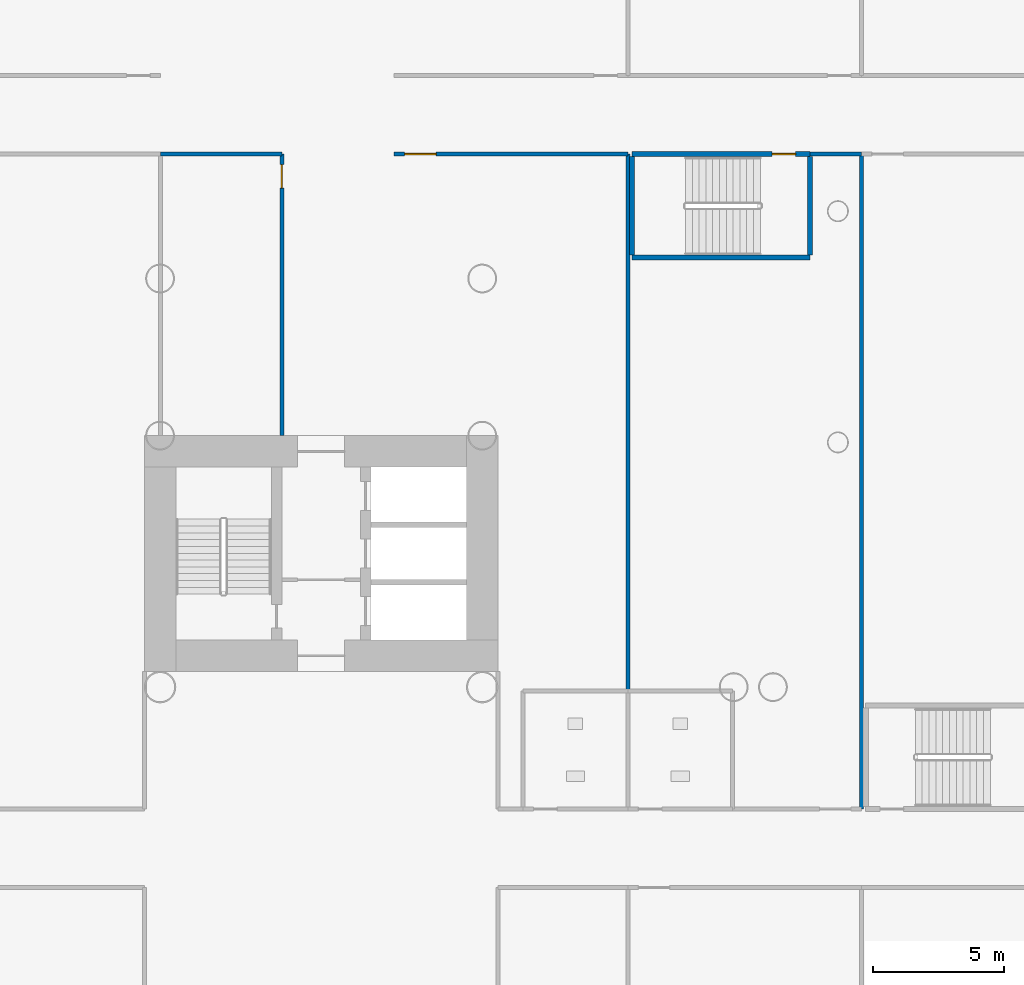
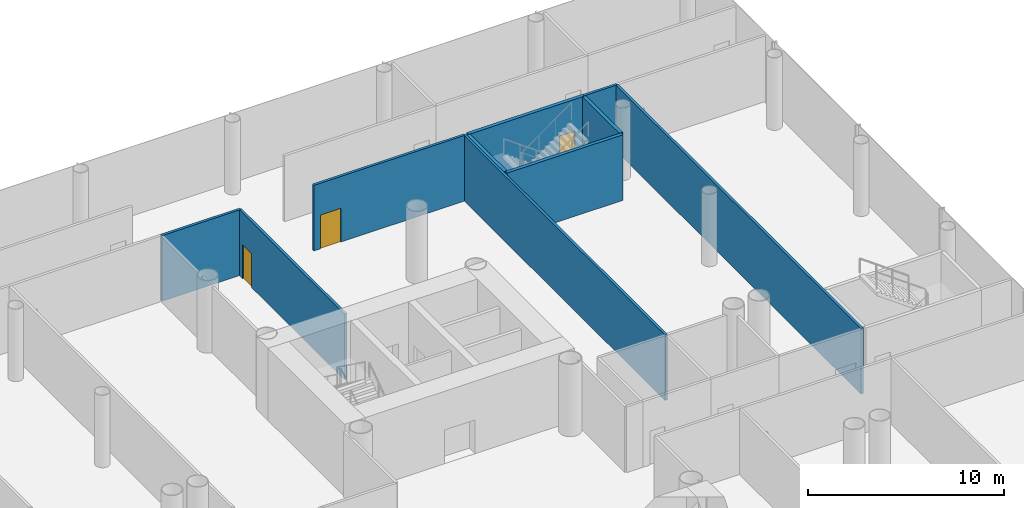
# One storey, part 23 of 51: 10 walls, 3 doors, 3 openings.
"""IFC4 building model written with IfcOpenShell, lengths in metres."""

import ifcopenshell
import ifcopenshell.guid

model = None  # the IFC model being written
_history = None  # IfcOwnerHistory: only IFC2X3 demands one
_inside = {}  # id of a spatial element -> (the spatial element, [elements in it])
_under = {}  # id of a project, library or spatial element -> (it, [spatial elements below it])
_declared = {}  # id of a project -> (the project, [libraries it declares])
_typed = {}  # id of a type object -> (the type object, [elements of that type])
_made_of = {}  # id of a material, layer set ... -> (it, [elements and type objects made of it])


def new_model(schema):
    """Start an empty IFC model of exactly this schema.

    Asked for "IFC4X3", IfcOpenShell would pick the latest addendum, in which some entities
    have other attributes; the version numbers below select the first issue.
    IFC2X3 requires an IfcOwnerHistory on every rooted entity: one is made here for all.
    """
    global model, _history
    if schema == "IFC4X3":
        model = ifcopenshell.file(schema_version=(4, 3, 0, 0))
    else:
        model = ifcopenshell.file(schema=schema)
    _inside.clear()
    _under.clear()
    _declared.clear()
    _typed.clear()
    _made_of.clear()
    _history = None
    if model.schema == "IFC2X3":
        org = make("IfcOrganization", Name="unknown")
        user = make(
            "IfcPersonAndOrganization",
            ThePerson=make("IfcPerson", FamilyName="unknown"),
            TheOrganization=org,
        )
        app = make(
            "IfcApplication",
            ApplicationDeveloper=org,
            Version="unknown",
            ApplicationFullName="unknown",
            ApplicationIdentifier="unknown",
        )
        _history = make(
            "IfcOwnerHistory",
            OwningUser=user,
            OwningApplication=app,
            ChangeAction="ADDED",
            CreationDate=0,
        )
    return model


def make(cls, **values):
    """One entity of the class cls with the attributes given. An attribute that is None is left unset."""
    return model.create_entity(
        cls, **{name: value for name, value in values.items() if value is not None}
    )


def rooted(cls, **values):
    """An entity with a GlobalId (a new one), such as an element, a storey or a relation."""
    return make(cls, GlobalId=ifcopenshell.guid.new(), OwnerHistory=_history, **values)


def si_unit(unit_type, name, prefix=None):
    """IfcSIUnit, for example si_unit("LENGTHUNIT", "METRE", prefix="MILLI")."""
    return make("IfcSIUnit", UnitType=unit_type, Prefix=prefix, Name=name)


def assignment(units):
    """IfcUnitAssignment: the units of a project."""
    return None if units is None else make("IfcUnitAssignment", Units=units)


def point(xyz):
    """IfcCartesianPoint."""
    return None if xyz is None else make("IfcCartesianPoint", Coordinates=xyz)


def direction(xyz):
    """IfcDirection."""
    return None if xyz is None else make("IfcDirection", DirectionRatios=xyz)


def frame(location, z_axis=None, x_axis=None):
    """IfcAxis2Placement3D, a coordinate frame: its origin and axes. An axis left out is left unset."""
    return make(
        "IfcAxis2Placement3D",
        Location=point(location),
        Axis=direction(z_axis),
        RefDirection=direction(x_axis),
    )


def frame_2d(location, x_axis=None):
    """IfcAxis2Placement2D, a coordinate frame in the plane: its origin and x axis."""
    return make(
        "IfcAxis2Placement2D", Location=point(location), RefDirection=direction(x_axis)
    )


def origin():
    """The frame at (0, 0, 0) with its axes left unset."""
    return frame((0.0, 0.0, 0.0))


def place(relative_to, where):
    """IfcLocalPlacement: puts the frame where relative to a parent placement (None: the world)."""
    return make(
        "IfcLocalPlacement", PlacementRelTo=relative_to, RelativePlacement=where
    )


def context(
    kind, dimensions, precision=None, world=None, true_north=None, identifier=None
):
    """IfcGeometricRepresentationContext, for example the 3D "Model" context."""
    return make(
        "IfcGeometricRepresentationContext",
        ContextIdentifier=identifier,
        ContextType=kind,
        CoordinateSpaceDimension=dimensions,
        Precision=precision,
        WorldCoordinateSystem=world,
        TrueNorth=true_north,
    )


def subcontext(parent, identifier, kind, view, scale=None):
    """IfcGeometricRepresentationSubContext, for example "Body" below "Model"."""
    return make(
        "IfcGeometricRepresentationSubContext",
        ContextIdentifier=identifier,
        ContextType=kind,
        ParentContext=parent,
        TargetScale=scale,
        TargetView=view,
    )


def project(units=None, contexts=None):
    """IfcProject with its units and contexts."""
    return rooted(
        "IfcProject",
        Name="project",
        RepresentationContexts=contexts,
        UnitsInContext=assignment(units),
    )


def spatial(cls, under=None, at=None, **own):
    """A site, building, storey or space (cls), placed at a placement, below another one or the project."""
    s = rooted(cls, ObjectPlacement=at, **own)
    if under is not None:
        _under.setdefault(under.id(), (under, []))[1].append(s)
    return s


def profile(cls, at=None, kind="AREA", **sizes):
    """A parametric profile (cls). Its sizes go by their IFC names, for example OverallWidth=200.0."""
    return make(cls, ProfileType=kind, Position=at, **sizes)


def rectangle(**sizes):
    """IfcRectangleProfileDef."""
    return profile("IfcRectangleProfileDef", **sizes)


def extrude(swept, where, along, depth):
    """IfcExtrudedAreaSolid: the profile swept, set in the frame where, extruded along a direction by depth."""
    return make(
        "IfcExtrudedAreaSolid",
        SweptArea=swept,
        Position=where,
        ExtrudedDirection=direction(along),
        Depth=depth,
    )


def shape(context_of_items, identifier, shape_type, items):
    """IfcShapeRepresentation: the items that make up one representation, for example the "Body"."""
    return make(
        "IfcShapeRepresentation",
        ContextOfItems=context_of_items,
        RepresentationIdentifier=identifier,
        RepresentationType=shape_type,
        Items=items,
    )


def material(Name=None, Category=None):
    """IfcMaterial."""
    return make("IfcMaterial", Name=Name, Category=Category)


def layer(
    of_material, thickness, ventilated=None, Name=None, Category=None, Priority=None
):
    """IfcMaterialLayer: one layer of a wall or slab, of a material (None: an air gap)."""
    return make(
        "IfcMaterialLayer",
        Material=of_material,
        LayerThickness=thickness,
        IsVentilated=ventilated,
        Name=Name,
        Category=Category,
        Priority=Priority,
    )


def layer_set(layers, Name=None):
    """IfcMaterialLayerSet."""
    return make("IfcMaterialLayerSet", MaterialLayers=layers, LayerSetName=Name)


def made_of(thing, what):
    """Note that an element or type object is made of a material, layer set ...; save() writes the relation."""
    if what is not None:
        _made_of.setdefault(what.id(), (what, []))[1].append(thing)
    return thing


def type_object(cls, material=None, **own):
    """A type object (cls), such as IfcWallType, which elements share."""
    return made_of(rooted(cls, **own), material)


def element(
    cls,
    number,
    at=None,
    inside=None,
    cuts=None,
    type_object=None,
    material=None,
    context=None,
    identifier="Body",
    shape_type=None,
    held_by="IfcProductDefinitionShape",
    body=None,
    shapes=None,
    **own,
):
    """One element of the class cls, such as IfcWall. Its Tag is "e" and its number.

    at: its placement. inside: the storey or other place that contains it. cuts: it is an
    opening in that element (IfcRelVoidsElement). A single representation is given by context,
    identifier, shape_type and body (its items); several are given by shapes. held_by: the class
    of the entity that holds the representations. save() writes the other relations.
    """
    e = rooted(cls, Tag="e%d" % number, ObjectPlacement=at, **own)
    if body is not None:
        shapes = [shape(context, identifier, shape_type, body)]
    if shapes is not None:
        e.Representation = make(held_by, Representations=shapes)
    if inside is not None:
        _inside.setdefault(inside.id(), (inside, []))[1].append(e)
    if cuts is not None:
        rooted(
            "IfcRelVoidsElement", RelatingBuildingElement=cuts, RelatedOpeningElement=e
        )
    if type_object is not None:
        _typed.setdefault(type_object.id(), (type_object, []))[1].append(e)
    return made_of(e, material)


def fill(opening, filler):
    """IfcRelFillsElement: the door or window that sits in an opening."""
    return rooted(
        "IfcRelFillsElement",
        RelatingOpeningElement=opening,
        RelatedBuildingElement=filler,
    )


def aggregate(whole, parts):
    """IfcRelAggregates: a whole, such as a stair, and the parts it consists of."""
    return rooted("IfcRelAggregates", RelatingObject=whole, RelatedObjects=parts)


def save(model, path):
    """Write the relations noted so far, then the file.

    IfcRelAggregates (storeys below a building ...), IfcRelContainedInSpatialStructure (elements
    in a storey), IfcRelDefinesByType, IfcRelAssociatesMaterial and IfcRelDeclares: one each for
    every whole, place, type object, material and project.
    """
    for whole, parts in _under.values():
        aggregate(whole, parts)
    for where, things in _inside.values():
        rooted(
            "IfcRelContainedInSpatialStructure",
            RelatedElements=things,
            RelatingStructure=where,
        )
    for kind, things in _typed.values():
        rooted("IfcRelDefinesByType", RelatedObjects=things, RelatingType=kind)
    for what, things in _made_of.values():
        rooted("IfcRelAssociatesMaterial", RelatedObjects=things, RelatingMaterial=what)
    for by, libraries in _declared.values():
        rooted("IfcRelDeclares", RelatingContext=by, RelatedDefinitions=libraries)
    model.write(path)


model = new_model("IFC4")

# Units and contexts
model_context = context("Model", 3, precision=1e-05, world=origin(), true_north=direction((0.0, 1.0)))
body_context = subcontext(model_context, "Body", "Model", "MODEL_VIEW")
ifc_project = project(units=[si_unit("LENGTHUNIT", "METRE"), si_unit("AREAUNIT", "SQUARE_METRE"), si_unit("VOLUMEUNIT", "CUBIC_METRE"), si_unit("PLANEANGLEUNIT", "RADIAN"), si_unit("MASSUNIT", "GRAM", prefix="KILO")], contexts=[model_context])

# Site, building, storey
site_placement = place(None, origin())
site = spatial("IfcSite", under=ifc_project, at=site_placement, CompositionType="ELEMENT")
building_placement = place(site_placement, origin())
building = spatial("IfcBuilding", under=site, at=building_placement, Name="Ipe Terrace Towers", CompositionType="ELEMENT")
storey_placement = place(building_placement, frame((0.0, 0.0, 15.5)))
storey = spatial("IfcBuildingStorey", under=building, at=storey_placement, Name="L03", CompositionType="ELEMENT", Elevation=15.5)

# Wall, opening, door
ifc_material_1 = material(Name="Gypsum board partition", Category="plasterboard")
ifc_layer_1 = layer(ifc_material_1, 0.14990234375)
ifc_layer_set_1 = layer_set([ifc_layer_1], Name="Gypsum board partition 150 mm")
wall_type_1 = type_object("IfcWallType", Name="Gypsum board partition 150 mm", PredefinedType="PARTITIONING", material=ifc_layer_set_1)
wall_1_placement = place(storey_placement, frame((34.5, 26.5, 0.0), z_axis=(0.0, 0.0, 1.0), x_axis=(0.0, -1.0, 0.0)))
wall_1 = element("IfcWall", 1, at=wall_1_placement, inside=storey, type_object=wall_type_1, Name="Gypsum board partition T2 L03 pd-r46-w45", PredefinedType="PARTITIONING", context=body_context, shape_type="SweptSolid", body=[
    extrude(rectangle(XDim=10.75, YDim=0.14990234375, at=frame_2d((5.375, 0.0))), origin(), (0.0, 0.0, 1.0), 4.080078125),
])
opening_1_placement = place(wall_1_placement, frame((0.39990234375, 0.0, 0.0)))
opening_1 = element("IfcOpeningElement", 2, at=opening_1_placement, cuts=wall_1, Name="Opening PD-L03-r46", PredefinedType="OPENING", context=body_context, shape_type="SweptSolid", body=[
    extrude(rectangle(XDim=0.89990234375, YDim=2.10009765625, at=frame_2d((0.449951171875, 1.050048828125))), frame((0.0, 0.0849609375, 0.0), z_axis=(0.0, -1.0, 0.0), x_axis=(1.0, 0.0, 0.0)), (0.0, 0.0, 1.0), 0.169921875),
])
ifc_material_2 = material(Name="Fire-rated timber door leaf", Category="wood")
door_type_1 = type_object("IfcDoorType", Name="Lounge door 900 x 2100 FD30S", OperationType="NOTDEFINED", PredefinedType="DOOR", material=ifc_material_2)
door_1_placement = place(opening_1_placement, origin())
door_1 = element("IfcDoor", 3, at=door_1_placement, inside=storey, type_object=door_type_1, Name="Lounge door PD-L03-r46", OperationType="SINGLE_SWING_RIGHT", OverallHeight=2.10009765625, OverallWidth=0.89990234375, PredefinedType="DOOR", context=body_context, shape_type="SweptSolid", body=[
    extrude(rectangle(XDim=0.89990234375, YDim=2.10009765625, at=frame_2d((0.449951171875, 1.050048828125))), frame((0.0, 0.02490234375, 0.0), z_axis=(0.0, -1.0, 0.0), x_axis=(1.0, 0.0, 0.0)), (0.0, 0.0, 1.0), 0.050048828125),
])
fill(opening_1, door_1)

# Wall
wall_2_placement = place(storey_placement, frame((29.8701171875, 26.5, 0.0), z_axis=(0.0, 0.0, 1.0), x_axis=(1.0, 0.0, 0.0)))
element("IfcWall", 4, at=wall_2_placement, inside=storey, type_object=wall_type_1, Name="Gypsum board partition T2 L03 pd-r46-w46", PredefinedType="PARTITIONING", context=body_context, shape_type="SweptSolid", body=[
    extrude(rectangle(XDim=4.6298828125, YDim=0.14990234375, at=frame_2d((2.31494140625, 0.0))), origin(), (0.0, 0.0, 1.0), 4.080078125),
])

# Wall, opening, door
wall_3_placement = place(storey_placement, frame((38.7900390625, 26.5, 0.0), z_axis=(0.0, 0.0, 1.0), x_axis=(1.0, 0.0, 0.0)))
wall_3 = element("IfcWall", 5, at=wall_3_placement, inside=storey, type_object=wall_type_1, Name="Gypsum board partition T2 L03 pd-r49-w53", PredefinedType="PARTITIONING", context=body_context, shape_type="SweptSolid", body=[
    extrude(rectangle(XDim=8.919921875, YDim=0.14990234375, at=frame_2d((4.4599609375, 0.0))), origin(), (0.0, 0.0, 1.0), 4.080078125),
])
opening_2_placement = place(wall_3_placement, frame((0.39990234375, 0.0, 0.0)))
opening_2 = element("IfcOpeningElement", 6, at=opening_2_placement, cuts=wall_3, Name="Opening PD-L03-r49", PredefinedType="OPENING", context=body_context, shape_type="SweptSolid", body=[
    extrude(rectangle(XDim=1.199951171875, YDim=2.10009765625, at=frame_2d((0.60009765625, 1.050048828125))), frame((0.0, 0.0849609375, 0.0), z_axis=(0.0, -1.0, 0.0), x_axis=(1.0, 0.0, 0.0)), (0.0, 0.0, 1.0), 0.169921875),
])
ifc_material_3 = material(Name="Fire-rated timber door leaf", Category="wood")
door_type_2 = type_object("IfcDoorType", Name="Lounge door 1200 x 2100 FD30S", OperationType="NOTDEFINED", PredefinedType="DOOR", material=ifc_material_3)
door_2_placement = place(opening_2_placement, origin())
door_2 = element("IfcDoor", 7, at=door_2_placement, inside=storey, type_object=door_type_2, Name="Lounge door PD-L03-r49", OperationType="SINGLE_SWING_RIGHT", OverallHeight=2.10009765625, OverallWidth=1.199951171875, PredefinedType="DOOR", context=body_context, shape_type="SweptSolid", body=[
    extrude(rectangle(XDim=1.199951171875, YDim=2.10009765625, at=frame_2d((0.60009765625, 1.050048828125))), frame((0.0, 0.02490234375, 0.0), z_axis=(0.0, -1.0, 0.0), x_axis=(1.0, 0.0, 0.0)), (0.0, 0.0, 1.0), 0.050048828125),
])
fill(opening_2, door_2)

# Walls
wall_4_placement = place(storey_placement, frame((47.7099609375, 26.5, 0.0), z_axis=(0.0, 0.0, 1.0), x_axis=(0.0, -1.0, 0.0)))
element("IfcWall", 8, at=wall_4_placement, inside=storey, type_object=wall_type_1, Name="Gypsum board partition T2 L03 pd-r49-r54-w54", PredefinedType="PARTITIONING", context=body_context, shape_type="SweptSolid", body=[
    extrude(rectangle(XDim=20.5, YDim=0.14990234375, at=frame_2d((10.25, 0.0))), origin(), (0.0, 0.0, 1.0), 4.080078125),
])
wall_5_placement = place(storey_placement, frame((54.669921875, 26.5, 0.0), z_axis=(0.0, 0.0, 1.0), x_axis=(1.0, 0.0, 0.0)))
element("IfcWall", 9, at=wall_5_placement, inside=storey, type_object=wall_type_1, Name="Gypsum board partition T2 L03 pd-r54-w66", PredefinedType="PARTITIONING", context=body_context, shape_type="SweptSolid", body=[
    extrude(rectangle(XDim=1.9599609375, YDim=0.14990234375, at=frame_2d((0.97998046875, 0.0))), origin(), (0.0, 0.0, 1.0), 4.080078125),
])
wall_6_placement = place(storey_placement, frame((56.6298828125, 26.5, 0.0), z_axis=(0.0, 0.0, 1.0), x_axis=(0.0, -1.0, 0.0)))
element("IfcWall", 10, at=wall_6_placement, inside=storey, type_object=wall_type_1, Name="Gypsum board partition T2 L03 pd-r54-r58-w68", PredefinedType="PARTITIONING", context=body_context, shape_type="SweptSolid", body=[
    extrude(rectangle(XDim=25.0, YDim=0.14990234375, at=frame_2d((12.5, 0.0))), origin(), (0.0, 0.0, 1.0), 4.080078125),
])

# Wall, opening, door
ifc_material_4 = material(Name="Concrete C40/50", Category="concrete")
ifc_layer_2 = layer(ifc_material_4, 0.199951171875)
ifc_layer_set_2 = layer_set([ifc_layer_2], Name="RW200 PODIUM STAIR SHAFT WALL 200 C40-50")
wall_type_2 = type_object("IfcWallType", Name="RW200 PODIUM STAIR SHAFT WALL 200 C40-50", PredefinedType="SHEAR", material=ifc_layer_set_2)
wall_7_placement = place(storey_placement, frame((47.8701171875, 26.5, 0.0), z_axis=(0.0, 0.0, 1.0), x_axis=(1.0, 0.0, 0.0)))
wall_7 = element("IfcWall", 11, at=wall_7_placement, inside=storey, type_object=wall_type_2, Name="Stair shaft wall T2 L03 ps3-c", PredefinedType="SHEAR", context=body_context, shape_type="SweptSolid", body=[
    extrude(rectangle(XDim=6.7998046875, YDim=0.199951171875, at=frame_2d((3.39990234375, 0.0))), origin(), (0.0, 0.0, 1.0), 4.080078125),
])
opening_3_placement = place(wall_7_placement, frame((5.35009765625, 0.0, 0.0)))
opening_3 = element("IfcOpeningElement", 12, at=opening_3_placement, cuts=wall_7, Name="Opening PS3-SD", PredefinedType="OPENING", context=body_context, shape_type="SweptSolid", body=[
    extrude(rectangle(XDim=0.89990234375, YDim=2.10009765625, at=frame_2d((0.449951171875, 1.050048828125))), frame((0.0, 0.10986328125, 0.0), z_axis=(0.0, -1.0, 0.0), x_axis=(1.0, 0.0, 0.0)), (0.0, 0.0, 1.0), 0.219970703125),
])
ifc_material_5 = material(Name="Fire-rated timber door leaf", Category="wood")
door_type_3 = type_object("IfcDoorType", Name="Stair door 900 x 2100 FD60", OperationType="NOTDEFINED", PredefinedType="DOOR", material=ifc_material_5)
door_3_placement = place(opening_3_placement, origin())
door_3 = element("IfcDoor", 13, at=door_3_placement, inside=storey, type_object=door_type_3, Name="Stair door PS3-SD", OperationType="SINGLE_SWING_LEFT", OverallHeight=2.10009765625, OverallWidth=0.89990234375, PredefinedType="DOOR", context=body_context, shape_type="SweptSolid", body=[
    extrude(rectangle(XDim=0.89990234375, YDim=2.10009765625, at=frame_2d((0.449951171875, 1.050048828125))), frame((0.0, 0.02490234375, 0.0), z_axis=(0.0, -1.0, 0.0), x_axis=(1.0, 0.0, 0.0)), (0.0, 0.0, 1.0), 0.050048828125),
])
fill(opening_3, door_3)

# Walls
wall_8_placement = place(storey_placement, frame((47.8701171875, 22.550048828125, 0.0), z_axis=(0.0, 0.0, 1.0), x_axis=(1.0, 0.0, 0.0)))
element("IfcWall", 14, at=wall_8_placement, inside=storey, type_object=wall_type_2, Name="Stair shaft wall T2 L03 ps3-f", PredefinedType="SHEAR", context=body_context, shape_type="SweptSolid", body=[
    extrude(rectangle(XDim=6.7998046875, YDim=0.199951171875, at=frame_2d((3.39990234375, 0.0))), origin(), (0.0, 0.0, 1.0), 4.080078125),
])
for number, where, z_axis, x_axis, name in (
    (15, (47.8701171875, 22.64990234375, 0.0), (0.0, 0.0, 1.0), (0.0, 1.0, 0.0), "Stair shaft wall T2 L03 ps3-w"),
    (16, (54.669921875, 22.64990234375, 0.0), (0.0, 0.0, 1.0), (0.0, 1.0, 0.0), "Stair shaft wall T2 L03 ps3-e"),
):
    element("IfcWall", number, at=place(storey_placement, frame(where, z_axis=z_axis, x_axis=x_axis)), inside=storey, type_object=wall_type_2, Name=name, PredefinedType="SHEAR", context=body_context, shape_type="SweptSolid", body=[
        extrude(rectangle(XDim=3.75, YDim=0.199951171875, at=frame_2d((1.875, 0.0))), origin(), (0.0, 0.0, 1.0), 4.080078125),
    ])

save(model, "model.ifc")
